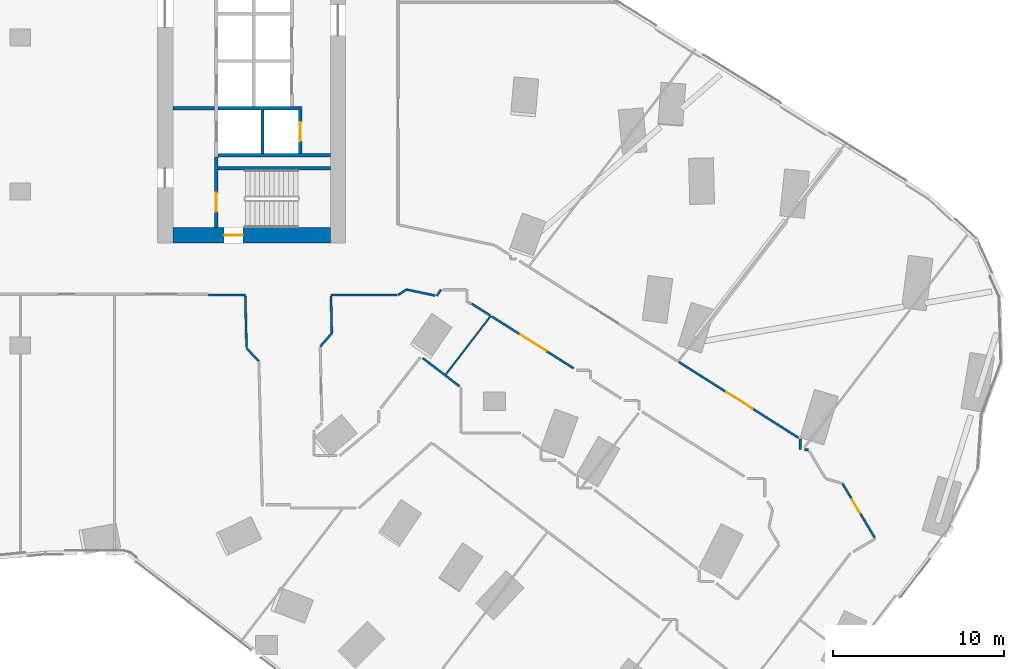
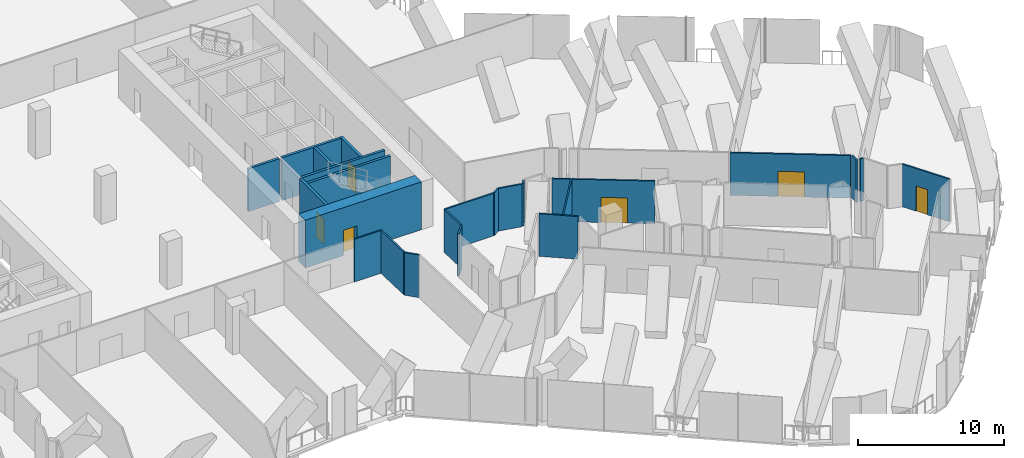
# One storey, part 27 of 32: 25 walls, 6 doors, 6 openings.
"""IFC4 building model written with IfcOpenShell, lengths in metres."""

from ifc_helpers import new_model, si_unit, direction, frame, frame_2d, origin, place, context, subcontext, project, spatial, rectangle, extrude, material, layer, layer_set, type_object, element, fill, save


model = new_model("IFC4")

# Units and contexts
model_context = context("Model", 3, precision=1e-05, world=origin(), true_north=direction((0.0, 1.0)))
body_context = subcontext(model_context, "Body", "Model", "MODEL_VIEW")
ifc_project = project(units=[si_unit("LENGTHUNIT", "METRE"), si_unit("AREAUNIT", "SQUARE_METRE"), si_unit("VOLUMEUNIT", "CUBIC_METRE"), si_unit("PLANEANGLEUNIT", "RADIAN"), si_unit("MASSUNIT", "GRAM", prefix="KILO")], contexts=[model_context])

# Site, building, storey
site_placement = place(None, origin())
site = spatial("IfcSite", under=ifc_project, at=site_placement, CompositionType="ELEMENT")
building_placement = place(site_placement, origin())
building = spatial("IfcBuilding", under=site, at=building_placement, Name="Orlundy Tower", CompositionType="ELEMENT")
storey_placement = place(building_placement, frame((0.0, 0.0, 33.300048828125)))
storey = spatial("IfcBuildingStorey", under=building, at=storey_placement, Name="L06", CompositionType="ELEMENT", Elevation=33.300048828125)

# Wall, opening, door
ifc_material_1 = material(Name="Concrete C80/95", Category="concrete")
ifc_layer_1 = layer(ifc_material_1, 0.89990234375)
ifc_layer_set_1 = layer_set([ifc_layer_1], Name="CORE WALL 900 C80/95")
wall_type_1 = type_object("IfcWallType", Name="CORE WALL 900 C80/95", PredefinedType="SHEAR", material=ifc_layer_set_1)
wall_1_placement = place(storey_placement, frame((8.89990234375, -11.550048828125, 0.0), z_axis=(0.0, 0.0, 1.0), x_axis=(1.0, 0.0, 0.0)))
wall_1 = element("IfcWall", 1, at=wall_1_placement, inside=storey, type_object=wall_type_1, Name="Core wall E-S L06", PredefinedType="SHEAR", context=body_context, shape_type="SweptSolid", body=[
    extrude(rectangle(XDim=9.2001953125, YDim=0.89990234375, at=frame_2d((4.60009765625, 0.0))), origin(), (0.0, 0.0, 1.0), 4.0),
])
opening_1_placement = place(wall_1_placement, frame((3.0, 0.0, 0.0)))
opening_1 = element("IfcOpeningElement", 2, at=opening_1_placement, cuts=wall_1, Name="Opening 07061", PredefinedType="OPENING", context=body_context, shape_type="SweptSolid", body=[
    extrude(rectangle(XDim=1.10009765625, YDim=2.10009765625, at=frame_2d((0.550048828125, 1.050048828125))), frame((0.0, 0.4599609375, 0.0), z_axis=(0.0, -1.0, 0.0), x_axis=(1.0, 0.0, 0.0)), (0.0, 0.0, 1.0), 0.919921875),
])
ifc_material_2 = material(Name="Steel door set", Category="steel")
door_type_1 = type_object("IfcDoorType", Name="Stair Door 1100x2100", OperationType="SINGLE_SWING_LEFT", PredefinedType="DOOR", material=ifc_material_2)
door_1_placement = place(opening_1_placement, origin())
door_1 = element("IfcDoor", 3, at=door_1_placement, inside=storey, type_object=door_type_1, Name="Stair door 07061", OperationType="SINGLE_SWING_LEFT", OverallHeight=2.10009765625, OverallWidth=1.10009765625, PredefinedType="DOOR", context=body_context, shape_type="SweptSolid", body=[
    extrude(rectangle(XDim=1.10009765625, YDim=2.10009765625, at=frame_2d((0.550048828125, 1.050048828125))), frame((0.0, 0.02490234375, 0.0), z_axis=(0.0, -1.0, 0.0), x_axis=(1.0, 0.0, 0.0)), (0.0, 0.0, 1.0), 0.050048828125),
])
fill(opening_1, door_1)

# Walls
ifc_material_3 = material(Name="Gypsum board partition")
ifc_layer_2 = layer(ifc_material_3, 0.10009765625)
ifc_layer_set_2 = layer_set([ifc_layer_2], Name="Floor partition 100")
wall_type_2 = type_object("IfcWallType", Name="Floor partition 100", PredefinedType="PARTITIONING", material=ifc_layer_set_2)
wall_2_placement = place(storey_placement, frame((24.846923828125, -19.679931640625, 0.0), z_axis=(0.0, 0.0, 1.0), x_axis=(0.60880221693, 0.793322040953, 0.0)))
element("IfcWall", 4, at=wall_2_placement, inside=storey, type_object=wall_type_2, Name="wall-int-L06-125", PredefinedType="PARTITIONING", context=body_context, shape_type="SweptSolid", body=[
    extrude(rectangle(XDim=4.313232421875, YDim=0.10009765625, at=frame_2d((2.15673828125, 0.0))), origin(), (0.0, 0.0, 1.0), 3.56005859375),
])
ifc_material_4 = material(Name="Gypsum board partition, double layer")
ifc_layer_3 = layer(ifc_material_4, 0.125)
ifc_layer_set_3 = layer_set([ifc_layer_3], Name="Floor partition 125")
wall_type_3 = type_object("IfcWallType", Name="Floor partition 125", PredefinedType="PARTITIONING", material=ifc_layer_set_3)
wall_3_placement = place(storey_placement, frame((13.135986328125, -15.113037109375, 0.0), z_axis=(0.0, 0.0, 1.0), x_axis=(0.024129774686, -0.999708834598, 0.0)))
element("IfcWall", 5, at=wall_3_placement, inside=storey, type_object=wall_type_3, Name="wall-int-L06-001", PredefinedType="PARTITIONING", context=body_context, shape_type="SweptSolid", body=[
    extrude(rectangle(XDim=2.98486328125, YDim=0.125, at=frame_2d((1.492431640625, 0.0))), origin(), (0.0, 0.0, 1.0), 3.56005859375),
])
wall_4_placement = place(storey_placement, frame((18.138916015625, -15.113037109375, 0.0), z_axis=(0.0, 0.0, 1.0), x_axis=(0.024036399243, -0.999711084019, 0.0)))
element("IfcWall", 6, at=wall_4_placement, inside=storey, type_object=wall_type_3, Name="wall-int-L06-004", PredefinedType="PARTITIONING", context=body_context, shape_type="SweptSolid", body=[
    extrude(rectangle(XDim=2.16357421875, YDim=0.125, at=frame_2d((1.081787109375, 0.0))), origin(), (0.0, 0.0, 1.0), 3.56005859375),
])

# Wall, opening, door
wall_5_placement = place(storey_placement, frame((48.014892578125, -26.055908203125, 0.0), z_axis=(0.0, 0.0, 1.0), x_axis=(0.511219942642, -0.859449923059, 0.0)))
wall_5 = element("IfcWall", 7, at=wall_5_placement, inside=storey, type_object=wall_type_3, Name="wall-int-L06-011", PredefinedType="PARTITIONING", context=body_context, shape_type="SweptSolid", body=[
    extrude(rectangle(XDim=3.67578125, YDim=0.125, at=frame_2d((1.837890625, 0.0))), origin(), (0.0, 0.0, 1.0), 3.56005859375),
])
opening_2_placement = place(wall_5_placement, frame((1.087890625, 0.0, 0.0)))
opening_2 = element("IfcOpeningElement", 8, at=opening_2_placement, cuts=wall_5, Name="Opening 07104", PredefinedType="OPENING", context=body_context, shape_type="SweptSolid", body=[
    extrude(rectangle(XDim=0.89990234375, YDim=2.10009765625, at=frame_2d((0.449951171875, 1.050048828125))), frame((0.0, 0.072509765625, 0.0), z_axis=(0.0, -1.0, 0.0), x_axis=(1.0, 0.0, 0.0)), (0.0, 0.0, 1.0), 0.14501953125),
])
ifc_material_5 = material(Name="Timber door leaf", Category="wood")
door_type_2 = type_object("IfcDoorType", Name="Floor door single 900 FD30S", OperationType="NOTDEFINED", PredefinedType="DOOR", material=ifc_material_5)
door_2_placement = place(opening_2_placement, origin())
door_2 = element("IfcDoor", 9, at=door_2_placement, inside=storey, type_object=door_type_2, Name="Door 07104", OperationType="SINGLE_SWING_LEFT", OverallHeight=2.10009765625, OverallWidth=0.89990234375, PredefinedType="DOOR", context=body_context, shape_type="SweptSolid", body=[
    extrude(rectangle(XDim=0.89990234375, YDim=2.10009765625, at=frame_2d((0.449951171875, 1.050048828125))), frame((0.0, 0.02490234375, 0.0), z_axis=(0.0, -1.0, 0.0), x_axis=(1.0, 0.0, 0.0)), (0.0, 0.0, 1.0), 0.050048828125),
])
fill(opening_2, door_2)

# Wall
wall_6_placement = place(storey_placement, frame((25.636962890625, -20.364990234375, 0.0), z_axis=(0.0, 0.0, 1.0), x_axis=(-0.79329611627, 0.608835997548, 0.0)))
element("IfcWall", 10, at=wall_6_placement, inside=storey, type_object=wall_type_3, Name="wall-int-L06-030", PredefinedType="PARTITIONING", context=body_context, shape_type="SweptSolid", body=[
    extrude(rectangle(XDim=2.69873046875, YDim=0.125, at=frame_2d((1.349365234375, 0.0))), origin(), (0.0, 0.0, 1.0), 3.56005859375),
])

# Wall, opening, door
wall_7_placement = place(storey_placement, frame((32.30810546875, -19.321044921875, 0.0), z_axis=(0.0, 0.0, 1.0), x_axis=(-0.844784712182, 0.535106335287, 0.0)))
wall_7 = element("IfcWall", 11, at=wall_7_placement, inside=storey, type_object=wall_type_3, Name="wall-int-L06-037", PredefinedType="PARTITIONING", context=body_context, shape_type="SweptSolid", body=[
    extrude(rectangle(XDim=5.673828125, YDim=0.125, at=frame_2d((2.8369140625, 0.0))), origin(), (0.0, 0.0, 1.0), 3.56005859375),
])
opening_3_placement = place(wall_7_placement, frame((1.884521484375, 0.0, 0.0)))
opening_3 = element("IfcOpeningElement", 12, at=opening_3_placement, cuts=wall_7, Name="Opening 07102", PredefinedType="OPENING", context=body_context, shape_type="SweptSolid", body=[
    extrude(rectangle(XDim=1.800048828125, YDim=2.10009765625, at=frame_2d((0.89990234375, 1.050048828125))), frame((0.0, 0.072509765625, 0.0), z_axis=(0.0, -1.0, 0.0), x_axis=(1.0, 0.0, 0.0)), (0.0, 0.0, 1.0), 0.14501953125),
])
ifc_material_6 = material(Name="Timber door leaf", Category="wood")
door_type_3 = type_object("IfcDoorType", Name="Floor door double 1800 FD30S", OperationType="NOTDEFINED", PredefinedType="DOOR", material=ifc_material_6)
door_3_placement = place(opening_3_placement, origin())
door_3 = element("IfcDoor", 13, at=door_3_placement, inside=storey, type_object=door_type_3, Name="Door 07102", OperationType="DOUBLE_DOOR_SINGLE_SWING", OverallHeight=2.10009765625, OverallWidth=1.800048828125, PredefinedType="DOOR", context=body_context, shape_type="SweptSolid", body=[
    extrude(rectangle(XDim=1.800048828125, YDim=2.10009765625, at=frame_2d((0.89990234375, 1.050048828125))), frame((0.0, 0.02490234375, 0.0), z_axis=(0.0, -1.0, 0.0), x_axis=(1.0, 0.0, 0.0)), (0.0, 0.0, 1.0), 0.050048828125),
])
fill(opening_3, door_3)

wall_8_placement = place(storey_placement, frame((38.4580078125, -18.955078125, 0.0), z_axis=(0.0, 0.0, 1.0), x_axis=(0.84479374754, -0.535092070692, 0.0)))
wall_8 = element("IfcWall", 14, at=wall_8_placement, inside=storey, type_object=wall_type_3, Name="wall-int-L06-041", PredefinedType="PARTITIONING", context=body_context, shape_type="SweptSolid", body=[
    extrude(rectangle(XDim=8.27880859375, YDim=0.125, at=frame_2d((4.139404296875, 0.0))), origin(), (0.0, 0.0, 1.0), 3.56005859375),
])
opening_4_placement = place(wall_8_placement, frame((3.300048828125, 0.0, 0.0)))
opening_4 = element("IfcOpeningElement", 15, at=opening_4_placement, cuts=wall_8, Name="Opening 07101", PredefinedType="OPENING", context=body_context, shape_type="SweptSolid", body=[
    extrude(rectangle(XDim=1.800048828125, YDim=2.10009765625, at=frame_2d((0.89990234375, 1.050048828125))), frame((0.0, 0.072509765625, 0.0), z_axis=(0.0, -1.0, 0.0), x_axis=(1.0, 0.0, 0.0)), (0.0, 0.0, 1.0), 0.14501953125),
])
door_4_placement = place(opening_4_placement, origin())
door_4 = element("IfcDoor", 16, at=door_4_placement, inside=storey, type_object=door_type_3, Name="Door 07101", OperationType="DOUBLE_DOOR_SINGLE_SWING", OverallHeight=2.10009765625, OverallWidth=1.800048828125, PredefinedType="DOOR", context=body_context, shape_type="SweptSolid", body=[
    extrude(rectangle(XDim=1.800048828125, YDim=2.10009765625, at=frame_2d((0.89990234375, 1.050048828125))), frame((0.0, 0.02490234375, 0.0), z_axis=(0.0, -1.0, 0.0), x_axis=(1.0, 0.0, 0.0)), (0.0, 0.0, 1.0), 0.050048828125),
])
fill(opening_4, door_4)

# Walls
wall_9_placement = place(storey_placement, frame((26.35107421875, -15.547119140625, 0.0), z_axis=(0.0, 0.0, 1.0), x_axis=(0.84483922118, -0.535020270976, 0.0)))
element("IfcWall", 17, at=wall_9_placement, inside=storey, type_object=wall_type_3, Name="wall-int-L06-042", PredefinedType="PARTITIONING", context=body_context, shape_type="SweptSolid", body=[
    extrude(rectangle(XDim=1.278076171875, YDim=0.125, at=frame_2d((0.63916015625, 0.0))), origin(), (0.0, 0.0, 1.0), 3.56005859375),
])
wall_10_placement = place(storey_placement, frame((22.552978515625, -14.720947265625, 0.0), z_axis=(0.0, 0.0, 1.0), x_axis=(0.978249040896, -0.207433878586, 0.0)))
element("IfcWall", 18, at=wall_10_placement, inside=storey, type_object=wall_type_3, Name="wall-int-L06-045", PredefinedType="PARTITIONING", context=body_context, shape_type="SweptSolid", body=[
    extrude(rectangle(XDim=1.711181640625, YDim=0.125, at=frame_2d((0.85546875, 0.0))), origin(), (0.0, 0.0, 1.0), 3.56005859375),
])
wall_11_placement = place(storey_placement, frame((45.7958984375, -24.074951171875, 0.0), z_axis=(0.0, 0.0, 1.0), x_axis=(1.0, 0.0, 0.0)))
element("IfcWall", 19, at=wall_11_placement, inside=storey, type_object=wall_type_3, Name="wall-int-L06-064", PredefinedType="PARTITIONING", context=body_context, shape_type="SweptSolid", body=[
    extrude(rectangle(XDim=0.22607421875, YDim=0.125, at=frame_2d((0.113037109375, 0.0))), origin(), (0.0, 0.0, 1.0), 3.56005859375),
])
wall_12_placement = place(storey_placement, frame((10.990966796875, -15.051025390625, 0.0), z_axis=(0.0, 0.0, 1.0), x_axis=(1.0, 0.0, 0.0)))
element("IfcWall", 20, at=wall_12_placement, inside=storey, type_object=wall_type_3, Name="wall-int-L06-074", PredefinedType="PARTITIONING", context=body_context, shape_type="SweptSolid", body=[
    extrude(rectangle(XDim=2.14306640625, YDim=0.125, at=frame_2d((1.071533203125, 0.0))), origin(), (0.0, 0.0, 1.0), 3.56005859375),
])
wall_13_placement = place(storey_placement, frame((18.136962890625, -15.051025390625, 0.0), z_axis=(0.0, 0.0, 1.0), x_axis=(1.0, 0.0, 0.0)))
element("IfcWall", 21, at=wall_13_placement, inside=storey, type_object=wall_type_3, Name="wall-int-L06-075", PredefinedType="PARTITIONING", context=body_context, shape_type="SweptSolid", body=[
    extrude(rectangle(XDim=3.85107421875, YDim=0.125, at=frame_2d((1.925537109375, 0.0))), origin(), (0.0, 0.0, 1.0), 3.56005859375),
])
wall_14_placement = place(storey_placement, frame((13.2109375, -18.159912109375, 0.0), z_axis=(0.0, 0.0, 1.0), x_axis=(0.694345547212, -0.71964175884, 0.0)))
element("IfcWall", 22, at=wall_14_placement, inside=storey, type_object=wall_type_3, Name="wall-int-L06-086", PredefinedType="PARTITIONING", context=body_context, shape_type="SweptSolid", body=[
    extrude(rectangle(XDim=1.03271484375, YDim=0.125, at=frame_2d((0.516357421875, 0.0))), origin(), (0.0, 0.0, 1.0), 3.56005859375),
])
wall_15_placement = place(storey_placement, frame((17.509033203125, -18.054931640625, 0.0), z_axis=(0.0, 0.0, 1.0), x_axis=(0.658621462255, 0.752474431098, 0.0)))
element("IfcWall", 23, at=wall_15_placement, inside=storey, type_object=wall_type_3, Name="wall-int-L06-087", PredefinedType="PARTITIONING", context=body_context, shape_type="SweptSolid", body=[
    extrude(rectangle(XDim=1.035400390625, YDim=0.125, at=frame_2d((0.517578125, 0.0))), origin(), (0.0, 0.0, 1.0), 3.56005859375),
])
wall_16_placement = place(storey_placement, frame((24.319091796875, -15.094970703125, 0.0), z_axis=(0.0, 0.0, 1.0), x_axis=(0.562734556466, 0.826637658808, 0.0)))
element("IfcWall", 24, at=wall_16_placement, inside=storey, type_object=wall_type_3, Name="wall-int-L06-127", PredefinedType="PARTITIONING", context=body_context, shape_type="SweptSolid", body=[
    extrude(rectangle(XDim=0.4404296875, YDim=0.125, at=frame_2d((0.22021484375, 0.0))), origin(), (0.0, 0.0, 1.0), 3.56005859375),
])
wall_17_placement = place(storey_placement, frame((45.549072265625, -24.074951171875, 0.0), z_axis=(0.0, 0.0, 1.0), x_axis=(0.0, 1.0, 0.0)))
element("IfcWall", 25, at=wall_17_placement, inside=storey, type_object=wall_type_3, Name="wall-int-L06-131", PredefinedType="PARTITIONING", context=body_context, shape_type="SweptSolid", body=[
    extrude(rectangle(XDim=0.62890625, YDim=0.125, at=frame_2d((0.314453125, 0.0))), origin(), (0.0, 0.0, 1.0), 3.56005859375),
])
wall_18_placement = place(storey_placement, frame((22.051025390625, -15.050048828125, 0.0), z_axis=(0.0, 0.0, 1.0), x_axis=(0.836281057999, 0.548301004953, 0.0)))
element("IfcWall", 26, at=wall_18_placement, inside=storey, type_object=wall_type_3, Name="wall-int-L06-142", PredefinedType="PARTITIONING", context=body_context, shape_type="SweptSolid", body=[
    extrude(rectangle(XDim=0.600341796875, YDim=0.125, at=frame_2d((0.30029296875, 0.0))), origin(), (0.0, 0.0, 1.0), 3.56005859375),
])

# Wall, opening, door
ifc_material_7 = material(Name="Concrete C40/50", Category="concrete")
ifc_layer_4 = layer(ifc_material_7, 0.199951171875)
ifc_layer_set_4 = layer_set([ifc_layer_4], Name="Load-bearing Shaft Wall 200")
wall_type_4 = type_object("IfcWallType", Name="Load-bearing Shaft Wall 200", PredefinedType="SOLIDWALL", material=ifc_layer_set_4)
wall_19_placement = place(storey_placement, frame((11.43994140625, -6.97509765625, 0.0), z_axis=(0.0, 0.0, 1.0), x_axis=(0.0, -1.0, 0.0)))
wall_19 = element("IfcWall", 27, at=wall_19_placement, inside=storey, type_object=wall_type_4, Name="Shaft wall E07-stair-end-n", PredefinedType="SOLIDWALL", context=body_context, shape_type="SweptSolid", body=[
    extrude(rectangle(XDim=4.125, YDim=0.199951171875, at=frame_2d((2.0625, 0.0))), origin(), (0.0, 0.0, 1.0), 3.579833984375),
])
opening_5_placement = place(wall_19_placement, frame((2.10009765625, 0.0, 0.0)))
opening_5 = element("IfcOpeningElement", 28, at=opening_5_placement, cuts=wall_19, Name="Opening 07063", PredefinedType="OPENING", context=body_context, shape_type="SweptSolid", body=[
    extrude(rectangle(XDim=1.10009765625, YDim=2.10009765625, at=frame_2d((0.550048828125, 1.050048828125))), frame((0.0, 0.110107421875, 0.0), z_axis=(0.0, -1.0, 0.0), x_axis=(1.0, 0.0, 0.0)), (0.0, 0.0, 1.0), 0.22021484375),
])
ifc_material_8 = material(Name="Steel door set", Category="steel")
door_type_4 = type_object("IfcDoorType", Name="Fire-fighting Lobby Door 1100x2100", OperationType="SINGLE_SWING_LEFT", PredefinedType="DOOR", material=ifc_material_8)
door_5_placement = place(opening_5_placement, origin())
door_5 = element("IfcDoor", 29, at=door_5_placement, inside=storey, type_object=door_type_4, Name="Fire-fighting lobby to stair door 07063", OperationType="SINGLE_SWING_RIGHT", OverallHeight=2.10009765625, OverallWidth=1.10009765625, PredefinedType="DOOR", context=body_context, shape_type="SweptSolid", body=[
    extrude(rectangle(XDim=1.10009765625, YDim=2.10009765625, at=frame_2d((0.550048828125, 1.050048828125))), frame((0.0, 0.02490234375, 0.0), z_axis=(0.0, -1.0, 0.0), x_axis=(1.0, 0.0, 0.0)), (0.0, 0.0, 1.0), 0.050048828125),
])
fill(opening_5, door_5)

# Walls
wall_20_placement = place(storey_placement, frame((11.5400390625, -7.64990234375, 0.0), z_axis=(0.0, 0.0, 1.0), x_axis=(1.0, 0.0, 0.0)))
element("IfcWall", 30, at=wall_20_placement, inside=storey, type_object=wall_type_4, Name="Shaft wall E07-stair-side-n", PredefinedType="SOLIDWALL", context=body_context, shape_type="SweptSolid", body=[
    extrude(rectangle(XDim=6.56005859375, YDim=0.199951171875, at=frame_2d((3.280029296875, 0.0))), origin(), (0.0, 0.0, 1.0), 3.579833984375),
])
ifc_material_9 = material(Name="Gypsum board partition on steel studs", Category="steel")
ifc_layer_5 = layer(ifc_material_9, 0.199951171875)
ifc_layer_set_5 = layer_set([ifc_layer_5], Name="Partition 200")
wall_type_5 = type_object("IfcWallType", Name="Partition 200", PredefinedType="PARTITIONING", material=ifc_layer_set_5)
wall_21_placement = place(storey_placement, frame((8.89990234375, -4.125, 0.0), z_axis=(0.0, 0.0, 1.0), x_axis=(1.0, 0.0, 0.0)))
element("IfcWall", 31, at=wall_21_placement, inside=storey, type_object=wall_type_5, Name="Partition wall E07-lobby-n", PredefinedType="PARTITIONING", context=body_context, shape_type="SweptSolid", body=[
    extrude(rectangle(XDim=2.440185546875, YDim=0.199951171875, at=frame_2d((1.22021484375, 0.0))), origin(), (0.0, 0.0, 1.0), 3.579833984375),
])
ifc_material_10 = material(Name="Fire-rated blockwork shaft wall", Category="masonry")
ifc_layer_6 = layer(ifc_material_10, 0.199951171875)
ifc_layer_set_6 = layer_set([ifc_layer_6], Name="Shaft Wall 200")
wall_type_6 = type_object("IfcWallType", Name="Shaft Wall 200", PredefinedType="SOLIDWALL", material=ifc_layer_set_6)
wall_22_placement = place(storey_placement, frame((11.5400390625, -6.875, 0.0), z_axis=(0.0, 0.0, 1.0), x_axis=(1.0, 0.0, 0.0)))
element("IfcWall", 32, at=wall_22_placement, inside=storey, type_object=wall_type_6, Name="Shaft wall E07-zone-n", PredefinedType="SOLIDWALL", context=body_context, shape_type="SweptSolid", body=[
    extrude(rectangle(XDim=6.56005859375, YDim=0.199951171875, at=frame_2d((3.280029296875, 0.0))), origin(), (0.0, 0.0, 1.0), 3.579833984375),
])
wall_23_placement = place(storey_placement, frame((11.5400390625, -4.125, 0.0), z_axis=(0.0, 0.0, 1.0), x_axis=(1.0, 0.0, 0.0)))
element("IfcWall", 33, at=wall_23_placement, inside=storey, type_object=wall_type_6, Name="Shaft wall E07-cross+4.125", PredefinedType="SOLIDWALL", context=body_context, shape_type="SweptSolid", body=[
    extrude(rectangle(XDim=4.699951171875, YDim=0.199951171875, at=frame_2d((2.35009765625, 0.0))), origin(), (0.0, 0.0, 1.0), 3.579833984375),
])
wall_24_placement = place(storey_placement, frame((14.139892578125, -4.22509765625, 0.0), z_axis=(0.0, 0.0, 1.0), x_axis=(0.0, -1.0, 0.0)))
element("IfcWall", 34, at=wall_24_placement, inside=storey, type_object=wall_type_6, Name="Shaft wall E07-mid-b", PredefinedType="SOLIDWALL", context=body_context, shape_type="SweptSolid", body=[
    extrude(rectangle(XDim=2.5498046875, YDim=0.199951171875, at=frame_2d((1.27490234375, 0.0))), origin(), (0.0, 0.0, 1.0), 3.579833984375),
])

# Wall, opening, door
wall_25_placement = place(storey_placement, frame((16.340087890625, -4.02490234375, 0.0), z_axis=(0.0, 0.0, 1.0), x_axis=(0.0, -1.0, 0.0)))
wall_25 = element("IfcWall", 35, at=wall_25_placement, inside=storey, type_object=wall_type_6, Name="Shaft wall E07-front-o-c", PredefinedType="SOLIDWALL", context=body_context, shape_type="SweptSolid", body=[
    extrude(rectangle(XDim=2.75, YDim=0.199951171875, at=frame_2d((1.375, 0.0))), origin(), (0.0, 0.0, 1.0), 3.579833984375),
])
opening_6_placement = place(wall_25_placement, frame((0.925048828125, 0.0, 0.0)))
opening_6 = element("IfcOpeningElement", 36, at=opening_6_placement, cuts=wall_25, Name="Opening 07056", PredefinedType="OPENING", context=body_context, shape_type="SweptSolid", body=[
    extrude(rectangle(XDim=1.10009765625, YDim=2.10009765625, at=frame_2d((0.550048828125, 1.050048828125))), frame((0.0, 0.110107421875, 0.0), z_axis=(0.0, -1.0, 0.0), x_axis=(1.0, 0.0, 0.0)), (0.0, 0.0, 1.0), 0.22021484375),
])
ifc_material_11 = material(Name="Steel door set", Category="steel")
door_type_5 = type_object("IfcDoorType", Name="Landing Door 1100x2100", OperationType="DOUBLE_DOOR_SLIDING", PredefinedType="DOOR", material=ifc_material_11)
door_6_placement = place(opening_6_placement, origin())
door_6 = element("IfcDoor", 37, at=door_6_placement, inside=storey, type_object=door_type_5, Name="Lift landing door LP-09 07056", OperationType="DOUBLE_DOOR_SLIDING", OverallHeight=2.10009765625, OverallWidth=1.10009765625, PredefinedType="DOOR", context=body_context, shape_type="SweptSolid", body=[
    extrude(rectangle(XDim=1.10009765625, YDim=2.10009765625, at=frame_2d((0.550048828125, 1.050048828125))), frame((0.0, 0.02490234375, 0.0), z_axis=(0.0, -1.0, 0.0), x_axis=(1.0, 0.0, 0.0)), (0.0, 0.0, 1.0), 0.050048828125),
])
fill(opening_6, door_6)

save(model, "model.ifc")
